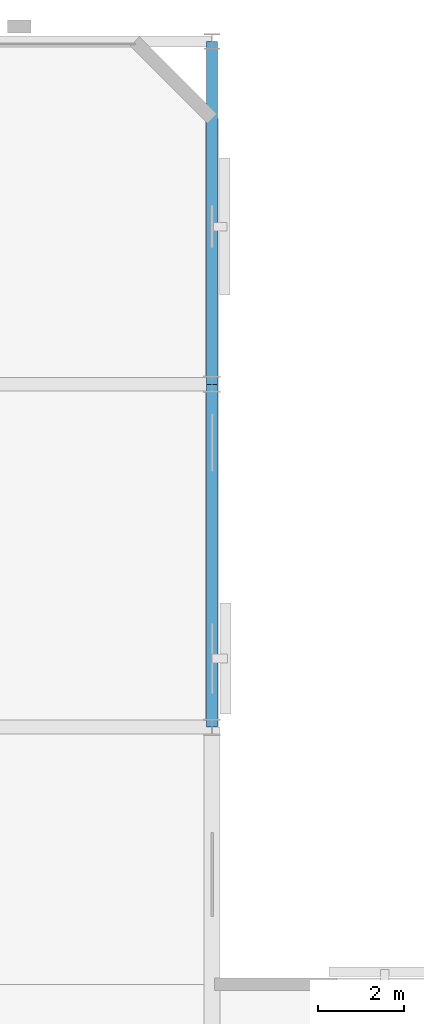
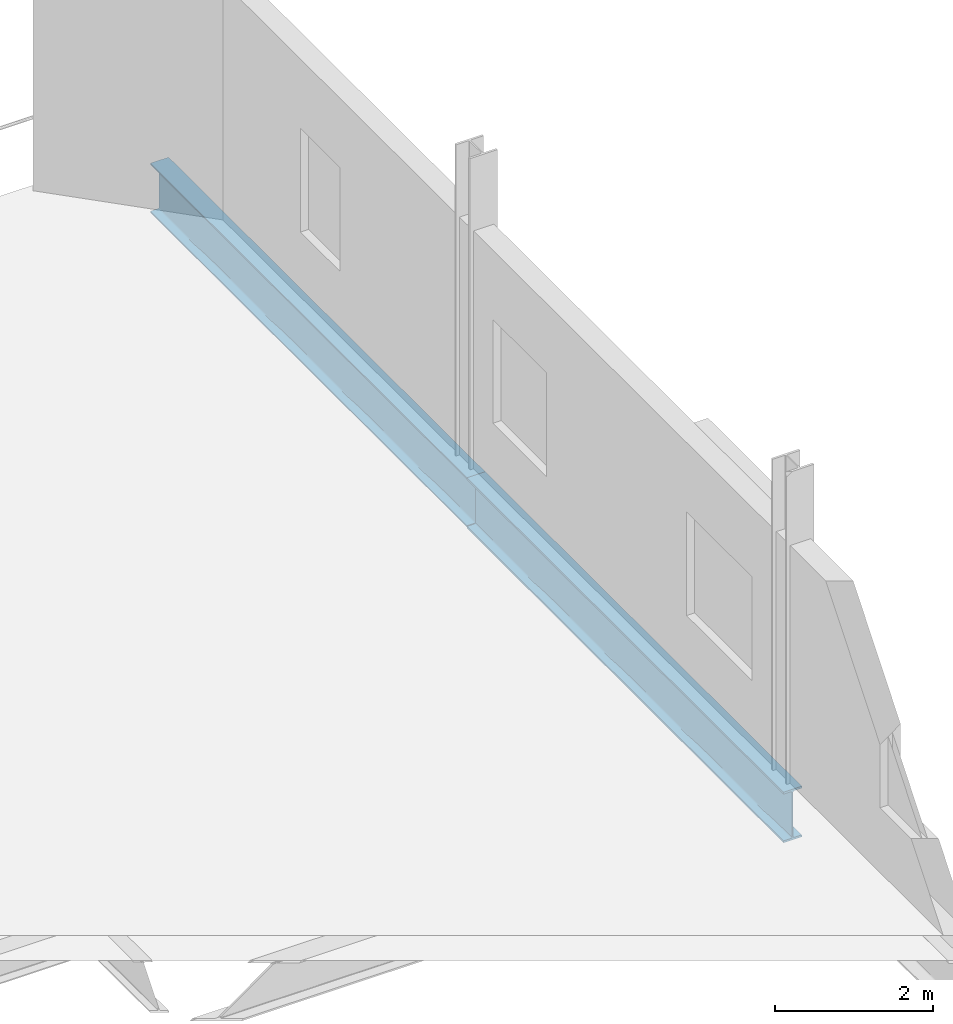
# One storey, part 54 of 122: 2 beams.
"""IFC4 building model written with IfcOpenShell, lengths in metres."""

from ifc_helpers import new_model, si_unit, direction, frame, origin, origin_2d, place, context, subcontext, project, spatial, i_section, extrude, material, material_profile, profile_set, type_object, element, save


model = new_model("IFC4")

# Units and contexts
model_context = context("Model", 3, precision=1e-05, world=origin(), true_north=direction((0.0, 1.0)))
body_context = subcontext(model_context, "Body", "Model", "MODEL_VIEW")
ifc_project = project(units=[si_unit("LENGTHUNIT", "METRE"), si_unit("AREAUNIT", "SQUARE_METRE"), si_unit("VOLUMEUNIT", "CUBIC_METRE"), si_unit("PLANEANGLEUNIT", "RADIAN"), si_unit("MASSUNIT", "GRAM", prefix="KILO"), si_unit("THERMODYNAMICTEMPERATUREUNIT", "KELVIN"), si_unit("POWERUNIT", "WATT")], contexts=[model_context])

# Site, building, storey
site_placement = place(None, origin())
site = spatial("IfcSite", under=ifc_project, at=site_placement, CompositionType="ELEMENT")
building_placement = place(site_placement, origin())
building = spatial("IfcBuilding", under=site, at=building_placement, Name="Zelmaris Science Centre", CompositionType="ELEMENT")
storey_placement = place(building_placement, frame((0.0, 0.0, 10.800048828125)))
storey = spatial("IfcBuildingStorey", under=building, at=storey_placement, Name="L02", CompositionType="ELEMENT", Elevation=10.800048828125)

# Beams
ifc_material = material(Name="Steel ASTM A992 Grade 50", Category="steel")
ifc_material_profile_1 = material_profile(ifc_material, i_section(OverallWidth=0.26708984375, OverallDepth=0.780029296875, WebThickness=0.0166015625, FlangeThickness=0.030029296875, FilletRadius=0.01904296875, at=origin_2d()), Name="W30X148")
ifc_profile_set_1 = profile_set([ifc_material_profile_1], Name="Steel ASTM A992 Grade 50")
beam_type_1 = type_object("IfcBeamType", Name="Beam G-32 W30X148", PredefinedType="BEAM", material=ifc_profile_set_1)
beam_1_placement = place(storey_placement, frame((108.0, 72.0, -0.650146484375), z_axis=(0.0, 1.0, 0.0), x_axis=(-1.0, 0.0, 0.0)))
element("IfcBeam", 1, at=beam_1_placement, inside=storey, type_object=beam_type_1, Name="L02 North-south girder 517", PredefinedType="BEAM", context=body_context, shape_type="SweptSolid", body=[
    extrude(i_section(OverallWidth=0.26708984375, OverallDepth=0.780029296875, WebThickness=0.0166015625, FlangeThickness=0.030029296875, FilletRadius=0.01904296875, at=origin_2d()), origin(), (0.0, 0.0, 1.0), 8.0),
])
ifc_material_profile_2 = material_profile(ifc_material, i_section(OverallWidth=0.26708984375, OverallDepth=0.761962890625, WebThickness=0.014404296875, FlangeThickness=0.021484375, FilletRadius=0.01904296875, at=origin_2d()), Name="W30X116")
ifc_profile_set_2 = profile_set([ifc_material_profile_2], Name="Steel ASTM A992 Grade 50")
beam_type_2 = type_object("IfcBeamType", Name="Beam G-33 W30X116", PredefinedType="BEAM", material=ifc_profile_set_2)
beam_2_placement = place(storey_placement, frame((108.0, 80.0, -0.64111328125), z_axis=(0.0, 1.0, 0.0), x_axis=(-1.0, 0.0, 0.0)))
element("IfcBeam", 2, at=beam_2_placement, inside=storey, type_object=beam_type_2, Name="L02 North-south girder 518", PredefinedType="BEAM", context=body_context, shape_type="SweptSolid", body=[
    extrude(i_section(OverallWidth=0.26708984375, OverallDepth=0.761962890625, WebThickness=0.014404296875, FlangeThickness=0.021484375, FilletRadius=0.01904296875, at=origin_2d()), origin(), (0.0, 0.0, 1.0), 8.0),
])

save(model, "model.ifc")
